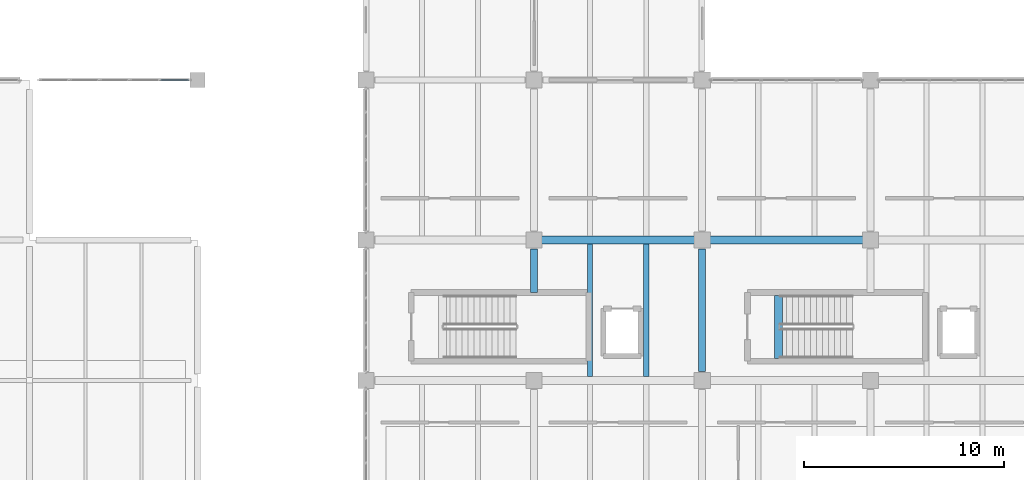
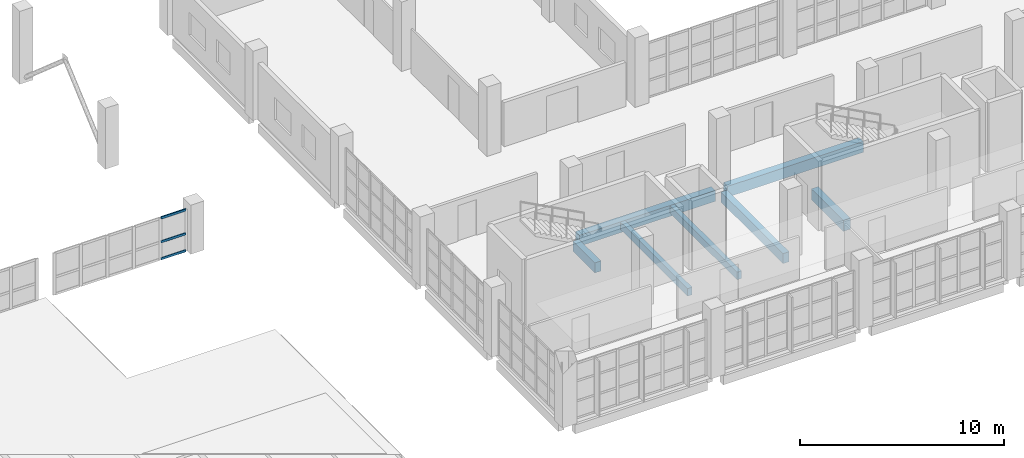
# One storey, part 19 of 177: 7 beams, 3 members, 1 element without a shape of its own.
"""IFC4 building model written with IfcOpenShell, lengths in metres."""

from ifc_helpers import new_model, si_unit, direction, frame, origin, origin_2d, place, context, subcontext, project, spatial, rectangle, hollow_rectangle, extrude, material, layer, layer_set, material_profile, profile_set, type_object, element, aggregate, save


model = new_model("IFC4")

# Units and contexts
model_context = context("Model", 3, precision=1e-05, world=origin(), true_north=direction((0.0, 1.0)))
body_context = subcontext(model_context, "Body", "Model", "MODEL_VIEW")
ifc_project = project(units=[si_unit("LENGTHUNIT", "METRE"), si_unit("AREAUNIT", "SQUARE_METRE"), si_unit("VOLUMEUNIT", "CUBIC_METRE"), si_unit("PLANEANGLEUNIT", "RADIAN"), si_unit("MASSUNIT", "GRAM", prefix="KILO"), si_unit("THERMODYNAMICTEMPERATUREUNIT", "KELVIN"), si_unit("POWERUNIT", "WATT")], contexts=[model_context])

# Site, building, storey
site_placement = place(None, origin())
site = spatial("IfcSite", under=ifc_project, at=site_placement, CompositionType="ELEMENT")
building_placement = place(site_placement, origin())
building = spatial("IfcBuilding", under=site, at=building_placement, Name="Mavoryth Pier Ferry Terminal", CompositionType="ELEMENT")
storey_placement = place(building_placement, frame((0.0, 0.0, 5.43994140625)))
storey = spatial("IfcBuildingStorey", under=building, at=storey_placement, Name="L01", CompositionType="ELEMENT", Elevation=5.43994140625)

# Beams
ifc_material_1 = material(Name="Concrete C35/45", Category="concrete")
ifc_material_profile_1 = material_profile(ifc_material_1, rectangle(XDim=0.35009765625, YDim=0.60009765625, at=origin_2d()), Name="RC 350x600", Category="concrete")
ifc_profile_set_1 = profile_set([ifc_material_profile_1], Name="Concrete C35/45 - RC 350x600")
beam_type_1 = type_object("IfcBeamType", Name="Girder-RC-350x600", PredefinedType="BEAM", material=ifc_profile_set_1)
beam_1_placement = place(storey_placement, frame((50.39990234375, 11.3798828125, -0.56005859375), z_axis=(0.0, 1.0, 0.0), x_axis=(-1.0, 0.0, 0.0)))
element("IfcBeam", 1, at=beam_1_placement, inside=storey, type_object=beam_type_1, Name="Beam B01-BG08-0538", PredefinedType="BEAM", context=body_context, shape_type="SweptSolid", body=[
    extrude(rectangle(XDim=0.35009765625, YDim=0.60009765625, at=origin_2d()), origin(), (0.0, 0.0, 1.0), 2.170166015625),
])
beam_2_placement = place(storey_placement, frame((58.800048828125, 7.449951171875, -0.56005859375), z_axis=(0.0, 1.0, 0.0), x_axis=(-1.0, 0.0, 0.0)))
element("IfcBeam", 2, at=beam_2_placement, inside=storey, type_object=beam_type_1, Name="Beam B01-BG08-0541", PredefinedType="BEAM", context=body_context, shape_type="SweptSolid", body=[
    extrude(rectangle(XDim=0.35009765625, YDim=0.60009765625, at=origin_2d()), origin(), (0.0, 0.0, 1.0), 6.10009765625),
])
ifc_material_profile_2 = material_profile(ifc_material_1, rectangle(XDim=0.39990234375, YDim=0.64990234375, at=origin_2d()), Name="RC 400x650", Category="concrete")
ifc_profile_set_2 = profile_set([ifc_material_profile_2], Name="Concrete C35/45 - RC 400x650")
beam_type_2 = type_object("IfcBeamType", Name="Girder-RC-400x650", PredefinedType="BEAM", material=ifc_profile_set_2)
beam_3_placement = place(storey_placement, frame((50.75, 14.0, -0.5849609375), z_axis=(1.0, 0.0, 0.0), x_axis=(0.0, 1.0, 0.0)))
element("IfcBeam", 3, at=beam_3_placement, inside=storey, type_object=beam_type_2, Name="Beam B01-BG05-0523", PredefinedType="BEAM", context=body_context, shape_type="SweptSolid", body=[
    extrude(rectangle(XDim=0.39990234375, YDim=0.64990234375, at=origin_2d()), origin(), (0.0, 0.0, 1.0), 7.699951171875),
])
beam_4_placement = place(storey_placement, frame((59.14990234375, 14.0, -0.5849609375), z_axis=(1.0, 0.0, 0.0), x_axis=(0.0, 1.0, 0.0)))
element("IfcBeam", 4, at=beam_4_placement, inside=storey, type_object=beam_type_2, Name="Beam B01-BG05-0524", PredefinedType="BEAM", context=body_context, shape_type="SweptSolid", body=[
    extrude(rectangle(XDim=0.39990234375, YDim=0.64990234375, at=origin_2d()), origin(), (0.0, 0.0, 1.0), 7.7001953125),
])
beam_5_placement = place(storey_placement, frame((62.6201171875, 8.10009765625, -0.324951171875), z_axis=(0.0, 1.0, 0.0), x_axis=(-1.0, 0.0, 0.0)))
element("IfcBeam", 5, at=beam_5_placement, inside=storey, type_object=beam_type_2, Name="Beam B01-BG05-1588", PredefinedType="BEAM", context=body_context, shape_type="SweptSolid", body=[
    extrude(rectangle(XDim=0.39990234375, YDim=0.64990234375, at=origin_2d()), origin(), (0.0, 0.0, 1.0), 3.14990234375),
])
ifc_material_profile_3 = material_profile(ifc_material_1, rectangle(XDim=0.260009765625, YDim=0.449951171875, at=origin_2d()), Name="RC 260x450", Category="concrete")
ifc_profile_set_3 = profile_set([ifc_material_profile_3], Name="Concrete C35/45 - RC 260x450")
beam_type_3 = type_object("IfcBeamType", Name="Joist-RC-260x450", PredefinedType="JOIST", material=ifc_profile_set_3)
for number, where, z_axis, x_axis, name in (
    (6, (53.199951171875, 7.199951171875, -0.48486328125), (0.0, 1.0, 0.0), (-1.0, 0.0, 0.0), "Beam B01-BJ03-0561"),
    (7, (56.0, 7.199951171875, -0.48486328125), (0.0, 1.0, 0.0), (-1.0, 0.0, 0.0), "Beam B01-BJ03-0562"),
):
    element("IfcBeam", number, at=place(storey_placement, frame(where, z_axis=z_axis, x_axis=x_axis)), inside=storey, type_object=beam_type_3, Name=name, PredefinedType="JOIST", context=body_context, shape_type="SweptSolid", body=[
        extrude(rectangle(XDim=0.260009765625, YDim=0.449951171875, at=origin_2d()), origin(), (0.0, 0.0, 1.0), 6.60009765625),
    ])

# Curtain wall, members
ifc_material_2 = material(Name="Anodised Aluminium and Solar-Control Low-E Glass", Category="aluminium")
ifc_layer = layer(ifc_material_2, 0.179931640625, Name="Anodised Aluminium and Solar-Control Low-E Glass", Category="aluminium")
ifc_layer_set = layer_set([ifc_layer], Name="Anodised Aluminium and Solar-Control Low-E Glass - CW-Concourse-Mod1400")
curtain_wall_type = type_object("IfcCurtainWallType", Name="CW-Concourse-Mod1400", PredefinedType="USERDEFINED", material=ifc_layer_set)
curtain_wall_placement = place(storey_placement, origin())
curtain_wall = element("IfcCurtainWall", 8, at=curtain_wall_placement, inside=storey, type_object=curtain_wall_type, Name="Curtain Wall CW-0133-048", ObjectType="UNITISED CURTAIN WALL", PredefinedType="USERDEFINED")
ifc_material_3 = material(Name="Anodised Aluminium EN AW-6063", Category="aluminium")
ifc_material_profile_4 = material_profile(ifc_material_3, hollow_rectangle(XDim=0.06494140625, YDim=0.139892578125, WallThickness=0.00390625, InnerFilletRadius=0.00390625, OuterFilletRadius=0.008056640625, at=origin_2d()), Name="AL-TRAN 140x65x4", Category="aluminium")
ifc_profile_set_4 = profile_set([ifc_material_profile_4], Name="Anodised Aluminium EN AW-6063 - AL-TRAN 140x65x4")
member_type = type_object("IfcMemberType", Name="Transom-Alum-140x65", PredefinedType="USERDEFINED", material=ifc_profile_set_4)
member_1_placement = place(storey_placement, frame((31.74755859375, 22.0, 0.032470703125), z_axis=(1.0, 0.0, 0.0), x_axis=(0.0, 1.0, 0.0)))
member_1 = element("IfcMember", 9, at=member_1_placement, type_object=member_type, Name="CW01 transom 5.1", ObjectType="TRANSOM", PredefinedType="USERDEFINED", context=body_context, shape_type="SweptSolid", body=[
    extrude(hollow_rectangle(XDim=0.06494140625, YDim=0.139892578125, WallThickness=0.00390625, InnerFilletRadius=0.00390625, OuterFilletRadius=0.008056640625, at=origin_2d()), origin(), (0.0, 0.0, 1.0), 1.412353515625),
])
member_2_placement = place(storey_placement, frame((31.74755859375, 22.0, 1.050048828125), z_axis=(1.0, 0.0, 0.0), x_axis=(0.0, 1.0, 0.0)))
member_2 = element("IfcMember", 10, at=member_2_placement, type_object=member_type, Name="CW01 transom 5.2", ObjectType="TRANSOM", PredefinedType="USERDEFINED", context=body_context, shape_type="SweptSolid", body=[
    extrude(hollow_rectangle(XDim=0.06494140625, YDim=0.139892578125, WallThickness=0.00390625, InnerFilletRadius=0.00390625, OuterFilletRadius=0.008056640625, at=origin_2d()), origin(), (0.0, 0.0, 1.0), 1.412353515625),
])
member_3_placement = place(storey_placement, frame((31.74755859375, 22.0, 2.4775390625), z_axis=(1.0, 0.0, 0.0), x_axis=(0.0, 1.0, 0.0)))
member_3 = element("IfcMember", 11, at=member_3_placement, type_object=member_type, Name="CW01 transom 5.3", ObjectType="TRANSOM", PredefinedType="USERDEFINED", context=body_context, shape_type="SweptSolid", body=[
    extrude(hollow_rectangle(XDim=0.06494140625, YDim=0.139892578125, WallThickness=0.00390625, InnerFilletRadius=0.00390625, OuterFilletRadius=0.008056640625, at=origin_2d()), origin(), (0.0, 0.0, 1.0), 1.412353515625),
])
aggregate(curtain_wall, [member_1, member_2, member_3])

save(model, "model.ifc")
